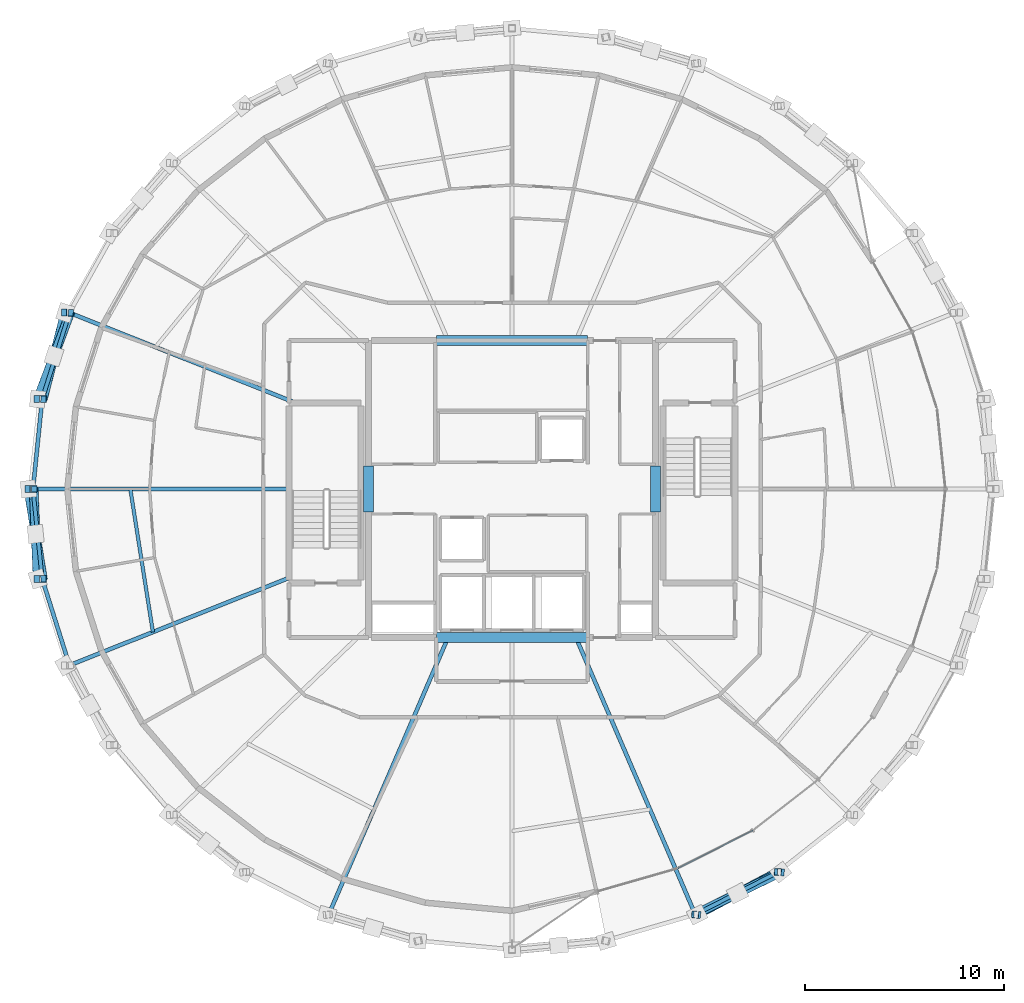
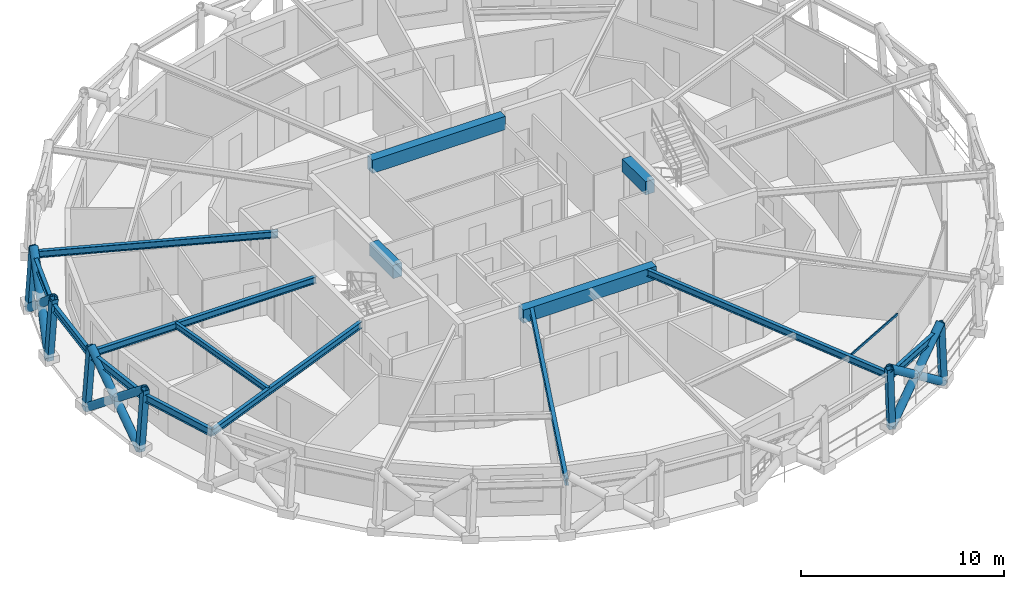
# One storey, part 3 of 18: 16 members, 15 beams, 1 element without a shape of its own.
"""IFC4 building model written with IfcOpenShell, lengths in metres."""

from ifc_helpers import new_model, si_unit, direction, frame, origin, origin_2d, place, context, subcontext, project, spatial, rectangle, hollow_rectangle, hollow_circle, i_section, extrude, material, layer, layer_set, material_profile, profile_set, type_object, element, aggregate, save


model = new_model("IFC4")

# Units and contexts
model_context = context("Model", 3, precision=1e-05, world=origin(), true_north=direction((0.0, 1.0)))
body_context = subcontext(model_context, "Body", "Model", "MODEL_VIEW")
ifc_project = project(units=[si_unit("LENGTHUNIT", "METRE"), si_unit("AREAUNIT", "SQUARE_METRE"), si_unit("VOLUMEUNIT", "CUBIC_METRE"), si_unit("PLANEANGLEUNIT", "RADIAN"), si_unit("MASSUNIT", "GRAM", prefix="KILO")], contexts=[model_context])

# Site, building, storey
site_placement = place(None, origin())
site = spatial("IfcSite", under=ifc_project, at=site_placement, CompositionType="ELEMENT")
building_placement = place(site_placement, origin())
building = spatial("IfcBuilding", under=site, at=building_placement, Name="Veldorina Hangang Commons", CompositionType="ELEMENT")
storey_placement = place(building_placement, frame((0.0, 0.0, 232.800048828125)))
storey = spatial("IfcBuildingStorey", under=building, at=storey_placement, Name="L60", CompositionType="ELEMENT", Elevation=232.800048828125)

# Beams
ifc_material_1 = material(Name="Concrete C50/60", Category="concrete")
ifc_material_profile_1 = material_profile(ifc_material_1, rectangle(XDim=0.5, YDim=0.800048828125, at=origin_2d()), Name="RC-CB-500x800")
ifc_profile_set_1 = profile_set([ifc_material_profile_1], Name="Concrete C50/60")
beam_type_1 = type_object("IfcBeamType", Name="BM-CB800", PredefinedType="LINTEL", material=ifc_profile_set_1)
for number, where, z_axis, x_axis, name in (
    (1, (24.800048828125, 22.85009765625, 2.9599609375), (0.0, 1.0, 0.0), (-1.0, 0.0, 0.0), "L60 W core coupling lintel beam"),
    (2, (39.199951171875, 22.85009765625, 2.9599609375), (0.0, 1.0, 0.0), (-1.0, 0.0, 0.0), "L60 E core coupling lintel beam"),
):
    element("IfcBeam", number, at=place(storey_placement, frame(where, z_axis=z_axis, x_axis=x_axis)), inside=storey, type_object=beam_type_1, Name=name, PredefinedType="LINTEL", context=body_context, shape_type="SweptSolid", body=[
        extrude(rectangle(XDim=0.5, YDim=0.800048828125, at=origin_2d()), origin(), (0.0, 0.0, 1.0), 2.2998046875),
    ])
for number, where, z_axis, x_axis, name in (
    (3, (28.199951171875, 16.550048828125, 2.9599609375), (1.0, 0.0, 0.0), (0.0, 1.0, 0.0), "L60 south core coupling beam"),
    (4, (28.199951171875, 31.449951171875, 2.9599609375), (1.0, 0.0, 0.0), (0.0, 1.0, 0.0), "L60 north core coupling beam"),
):
    element("IfcBeam", number, at=place(storey_placement, frame(where, z_axis=z_axis, x_axis=x_axis)), inside=storey, type_object=beam_type_1, Name=name, PredefinedType="LINTEL", context=body_context, shape_type="SweptSolid", body=[
        extrude(rectangle(XDim=0.5, YDim=0.800048828125, at=origin_2d()), origin(), (0.0, 0.0, 1.0), 7.60009765625),
    ])
ifc_material_2 = material(Name="Steel SM355-TMC", Category="steel")
ifc_material_profile_2 = material_profile(ifc_material_2, i_section(OverallWidth=0.199951171875, OverallDepth=0.39990234375, WebThickness=0.008056640625, FlangeThickness=0.012939453125, FilletRadius=0.012939453125, at=origin_2d()), Name="H-400x200x8x13")
ifc_profile_set_2 = profile_set([ifc_material_profile_2], Name="Steel SM355-TMC")
beam_type_2 = type_object("IfcBeamType", Name="BM-FG400", PredefinedType="BEAM", material=ifc_profile_set_2)
beam_1_placement = place(storey_placement, frame((21.15380859375, 28.320068359375, 3.159912109375), z_axis=(-0.92902116893, 0.370026576991, 0.0), x_axis=(-0.370026576991, -0.92902116893, 0.0)))
element("IfcBeam", 5, at=beam_1_placement, inside=storey, type_object=beam_type_2, Name="L60 radial floor girder 08", PredefinedType="BEAM", context=body_context, shape_type="SweptSolid", body=[
    extrude(i_section(OverallWidth=0.199951171875, OverallDepth=0.39990234375, WebThickness=0.008056640625, FlangeThickness=0.012939453125, FilletRadius=0.012939453125, at=origin_2d()), origin(), (0.0, 0.0, 1.0), 12.223388671875),
])
beam_2_placement = place(storey_placement, frame((20.820068359375, 24.0, 3.159912109375), z_axis=(-1.0, 0.0, 0.0), x_axis=(0.0, -1.0, 0.0)))
element("IfcBeam", 6, at=beam_2_placement, inside=storey, type_object=beam_type_2, Name="L60 radial floor girder 09", PredefinedType="BEAM", context=body_context, shape_type="SweptSolid", body=[
    extrude(i_section(OverallWidth=0.199951171875, OverallDepth=0.39990234375, WebThickness=0.008056640625, FlangeThickness=0.012939453125, FilletRadius=0.012939453125, at=origin_2d()), origin(), (0.0, 0.0, 1.0), 12.85107421875),
])
beam_3_placement = place(storey_placement, frame((20.820068359375, 19.547119140625, 3.159912109375), z_axis=(-0.929017827565, -0.370034966005, 0.0), x_axis=(0.370034966005, -0.929017827565, 0.0)))
element("IfcBeam", 7, at=beam_3_placement, inside=storey, type_object=beam_type_2, Name="L60 radial floor girder 10", PredefinedType="BEAM", context=body_context, shape_type="SweptSolid", body=[
    extrude(i_section(OverallWidth=0.199951171875, OverallDepth=0.39990234375, WebThickness=0.008056640625, FlangeThickness=0.012939453125, FilletRadius=0.012939453125, at=origin_2d()), origin(), (0.0, 0.0, 1.0), 11.864013671875),
])
for number, where, z_axis, x_axis, name in (
    (8, (28.790771484375, 16.550048828125, 3.159912109375), (-0.395620337135, -0.91841414887, 0.0), (0.91841414887, -0.395620337135, 0.0), "L60 radial floor girder 12"),
    (9, (35.209228515625, 16.550048828125, 3.159912109375), (0.395620337135, -0.91841414887, 0.0), (0.91841414887, 0.395620337135, 0.0), "L60 radial floor girder 14"),
):
    element("IfcBeam", number, at=place(storey_placement, frame(where, z_axis=z_axis, x_axis=x_axis)), inside=storey, type_object=beam_type_2, Name=name, PredefinedType="BEAM", context=body_context, shape_type="SweptSolid", body=[
        extrude(i_section(OverallWidth=0.199951171875, OverallDepth=0.39990234375, WebThickness=0.008056640625, FlangeThickness=0.012939453125, FilletRadius=0.012939453125, at=origin_2d()), origin(), (0.0, 0.0, 1.0), 15.13330078125),
    ])
ifc_material_profile_3 = material_profile(ifc_material_2, i_section(OverallWidth=0.175048828125, OverallDepth=0.35009765625, WebThickness=0.007080078125, FlangeThickness=0.010986328125, FilletRadius=0.012939453125, at=origin_2d()), Name="H-350x175x7x11")
ifc_profile_set_3 = profile_set([ifc_material_profile_3], Name="Steel SM355-TMC")
beam_type_3 = type_object("IfcBeamType", Name="BM-JST350", PredefinedType="JOIST", material=ifc_profile_set_3)
beam_4_placement = place(storey_placement, frame((12.852294921875, 24.0, 3.18505859375), z_axis=(0.156119631311, -0.987738153925, 0.0), x_axis=(0.987738153925, 0.156119631311, 0.0)))
element("IfcBeam", 10, at=beam_4_placement, inside=storey, type_object=beam_type_3, Name="L60 secondary floor joist 09", PredefinedType="JOIST", context=body_context, shape_type="SweptSolid", body=[
    extrude(i_section(OverallWidth=0.175048828125, OverallDepth=0.35009765625, WebThickness=0.007080078125, FlangeThickness=0.010986328125, FilletRadius=0.012939453125, at=origin_2d()), origin(), (0.0, 0.0, 1.0), 7.263916015625),
])
ifc_material_profile_4 = material_profile(ifc_material_2, i_section(OverallWidth=0.199951171875, OverallDepth=0.449951171875, WebThickness=0.009033203125, FlangeThickness=0.013916015625, FilletRadius=0.01611328125, at=origin_2d()), Name="H-450x200x9x14")
ifc_profile_set_4 = profile_set([ifc_material_profile_4], Name="Steel SM355-TMC")
beam_type_4 = type_object("IfcBeamType", Name="BM-RB450", PredefinedType="BEAM", material=ifc_profile_set_4)
beam_5_placement = place(storey_placement, frame((9.798095703125, 32.843017578125, 3.135009765625), z_axis=(-0.300830603125, -0.95367759134, 0.0), x_axis=(0.95367759134, -0.300830603125, 0.0)))
element("IfcBeam", 11, at=beam_5_placement, inside=storey, type_object=beam_type_4, Name="L60 perimeter hoop ring beam 14", PredefinedType="BEAM", context=body_context, shape_type="SweptSolid", body=[
    extrude(i_section(OverallWidth=0.199951171875, OverallDepth=0.449951171875, WebThickness=0.009033203125, FlangeThickness=0.013916015625, FilletRadius=0.01611328125, at=origin_2d()), origin(), (0.0, 0.0, 1.0), 4.54541015625),
])
for number, where, z_axis, x_axis, name in (
    (12, (8.4306640625, 28.508056640625, 3.135009765625), (-0.101877124735, -0.994796990072, 0.0), (0.994796990072, -0.101877124735, 0.0), "L60 perimeter hoop ring beam 15"),
    (13, (7.968994140625, 24.0, 3.135009765625), (0.101877124735, -0.994796990072, 0.0), (0.994796990072, 0.101877124735, 0.0), "L60 perimeter hoop ring beam 16"),
):
    element("IfcBeam", number, at=place(storey_placement, frame(where, z_axis=z_axis, x_axis=x_axis)), inside=storey, type_object=beam_type_4, Name=name, PredefinedType="BEAM", context=body_context, shape_type="SweptSolid", body=[
        extrude(i_section(OverallWidth=0.199951171875, OverallDepth=0.449951171875, WebThickness=0.009033203125, FlangeThickness=0.013916015625, FilletRadius=0.01611328125, at=origin_2d()), origin(), (0.0, 0.0, 1.0), 4.53173828125),
    ])
beam_6_placement = place(storey_placement, frame((8.4306640625, 19.491943359375, 3.135009765625), z_axis=(0.300830603125, -0.95367759134, 0.0), x_axis=(0.95367759134, 0.300830603125, 0.0)))
element("IfcBeam", 14, at=beam_6_placement, inside=storey, type_object=beam_type_4, Name="L60 perimeter hoop ring beam 17", PredefinedType="BEAM", context=body_context, shape_type="SweptSolid", body=[
    extrude(i_section(OverallWidth=0.199951171875, OverallDepth=0.449951171875, WebThickness=0.009033203125, FlangeThickness=0.013916015625, FilletRadius=0.01611328125, at=origin_2d()), origin(), (0.0, 0.0, 1.0), 4.54541015625),
])
beam_7_placement = place(storey_placement, frame((41.1962890625, 2.6513671875, 3.135009765625), z_axis=(0.889406812659, 0.457116529559, 0.0), x_axis=(-0.457116529559, 0.889406812659, 0.0)))
element("IfcBeam", 15, at=beam_7_placement, inside=storey, type_object=beam_type_4, Name="L60 perimeter hoop ring beam 26", PredefinedType="BEAM", context=body_context, shape_type="SweptSolid", body=[
    extrude(i_section(OverallWidth=0.199951171875, OverallDepth=0.449951171875, WebThickness=0.009033203125, FlangeThickness=0.013916015625, FilletRadius=0.01611328125, at=origin_2d()), origin(), (0.0, 0.0, 1.0), 4.671142578125),
])

# Curtain wall, member
ifc_material_3 = material(Name="Glass Low-E Selective", Category="glass")
ifc_layer = layer(ifc_material_3, 0.179931640625)
ifc_layer_set = layer_set([ifc_layer], Name="Glass Low-E Selective")
curtain_wall_type = type_object("IfcCurtainWallType", Name="CW-SYS-Z3", PredefinedType="NOTDEFINED", material=ifc_layer_set)
curtain_wall_placement = place(storey_placement, origin())
curtain_wall = element("IfcCurtainWall", 16, at=curtain_wall_placement, inside=storey, type_object=curtain_wall_type, Name="L60 unitised curtain wall CW-L60-R1", PredefinedType="NOTDEFINED")
ifc_material_4 = material(Name="Aluminium Anodized AA6063-T6", Category="aluminium")
ifc_material_profile_5 = material_profile(ifc_material_4, hollow_rectangle(XDim=0.06005859375, YDim=0.139892578125, WallThickness=0.00341796875, at=origin_2d()), Name="ALU-RHS-140x60x3.5")
ifc_profile_set_5 = profile_set([ifc_material_profile_5], Name="Aluminium Anodized AA6063-T6")
member_type_1 = type_object("IfcMemberType", Name="CW-TRN-140", PredefinedType="USERDEFINED", material=ifc_profile_set_5)
member_1_placement = place(storey_placement, frame((40.32177734375, 4.9697265625, 3.280029296875), z_axis=(0.892156271491, 0.451726894527, 0.0), x_axis=(-0.451726894527, 0.892156271491, 0.0)))
member_1 = element("IfcMember", 17, at=member_1_placement, type_object=member_type_1, Name="CW-L60-R1 facet 2 transom 1", ObjectType="TRANSOM", PredefinedType="USERDEFINED", context=body_context, shape_type="SweptSolid", body=[
    extrude(hollow_rectangle(XDim=0.06005859375, YDim=0.139892578125, WallThickness=0.00341796875, at=origin_2d()), origin(), (0.0, 0.0, 1.0), 4.2138671875),
])
aggregate(curtain_wall, [member_1])

# Members
ifc_material_profile_6 = material_profile(ifc_material_2, hollow_circle(Radius=0.22509765625, WallThickness=0.02197265625, at=origin_2d()), Name="CHS-450x22")
ifc_profile_set_6 = profile_set([ifc_material_profile_6], Name="Steel SM355-TMC")
member_type_2 = type_object("IfcMemberType", Name="DG-CHS450", PredefinedType="BRACE", material=ifc_profile_set_6)
member_2_placement = place(storey_placement, frame((9.581298828125, 32.846923828125, 0.0), z_axis=(-0.194251885862, -0.754961462373, 0.626338083762), x_axis=(0.968456122295, -0.249184147148, 0.0)))
element("IfcMember", 18, at=member_2_placement, inside=storey, type_object=member_type_2, Name="L60 continuous perimeter diagrid brace 14", PredefinedType="BRACE", context=body_context, shape_type="SweptSolid", body=[
    extrude(hollow_circle(Radius=0.22509765625, WallThickness=0.02197265625, at=origin_2d()), origin(), (0.0, 0.0, 1.0), 5.74755859375),
])
member_3_placement = place(storey_placement, frame((8.200439453125, 28.510009765625, 0.0), z_axis=(0.280206892591, 0.738038997675, 0.613826144161), x_axis=(-0.934887822206, 0.354943319264, 0.0)))
element("IfcMember", 19, at=member_3_placement, inside=storey, type_object=member_type_2, Name="L60 split perimeter diagrid lower brace 15", PredefinedType="BRACE", context=body_context, shape_type="SweptSolid", body=[
    extrude(hollow_circle(Radius=0.22509765625, WallThickness=0.02197265625, at=origin_2d()), origin(), (0.0, 0.0, 1.0), 2.9345703125),
])
member_4_placement = place(storey_placement, frame((9.022705078125, 30.67578125, 1.80126953125), z_axis=(0.275701678216, 0.739593921551, 0.613994638277), x_axis=(-0.937013009709, 0.349294459783, 0.0)))
element("IfcMember", 20, at=member_4_placement, inside=storey, type_object=member_type_2, Name="L60 split perimeter diagrid upper brace 15", PredefinedType="BRACE", context=body_context, shape_type="SweptSolid", body=[
    extrude(hollow_circle(Radius=0.22509765625, WallThickness=0.02197265625, at=origin_2d()), origin(), (0.0, 0.0, 1.0), 2.92919921875),
])
member_5_placement = place(storey_placement, frame((7.734130859375, 24.0, 0.0), z_axis=(0.125661791119, -0.775215272712, 0.619072205164), x_axis=(0.987115293042, 0.160010619155, 0.0)))
element("IfcMember", 21, at=member_5_placement, inside=storey, type_object=member_type_2, Name="L60 continuous perimeter diagrid brace 16", PredefinedType="BRACE", context=body_context, shape_type="SweptSolid", body=[
    extrude(hollow_circle(Radius=0.22509765625, WallThickness=0.02197265625, at=origin_2d()), origin(), (0.0, 0.0, 1.0), 5.81494140625),
])
member_6_placement = place(storey_placement, frame((8.200439453125, 19.489990234375, 0.0), z_axis=(-0.034917114059, 0.781027359987, 0.623519893906), x_axis=(-0.999002153417, -0.044662036086, 0.0)))
element("IfcMember", 22, at=member_6_placement, inside=storey, type_object=member_type_2, Name="L60 split perimeter diagrid lower brace 17", PredefinedType="BRACE", context=body_context, shape_type="SweptSolid", body=[
    extrude(hollow_circle(Radius=0.22509765625, WallThickness=0.02197265625, at=origin_2d()), origin(), (0.0, 0.0, 1.0), 2.8876953125),
])
member_7_placement = place(storey_placement, frame((8.099609375, 21.745361328125, 1.800537109375), z_axis=(-0.03324347595, 0.781179390336, 0.623420910317), x_axis=(-0.999095742908, -0.042517014289, 0.0)))
element("IfcMember", 23, at=member_7_placement, inside=storey, type_object=member_type_2, Name="L60 split perimeter diagrid upper brace 17", PredefinedType="BRACE", context=body_context, shape_type="SweptSolid", body=[
    extrude(hollow_circle(Radius=0.22509765625, WallThickness=0.02197265625, at=origin_2d()), origin(), (0.0, 0.0, 1.0), 2.88623046875),
])
member_8_placement = place(storey_placement, frame((41.2861328125, 2.6416015625, 0.0), z_axis=(0.694480178066, 0.368489422182, 0.61799096111), x_axis=(-0.468705619493, 0.883354426182, 0.0)))
element("IfcMember", 24, at=member_8_placement, inside=storey, type_object=member_type_2, Name="L60 continuous perimeter diagrid brace 26", PredefinedType="BRACE", context=body_context, shape_type="SweptSolid", body=[
    extrude(hollow_circle(Radius=0.22509765625, WallThickness=0.02197265625, at=origin_2d()), origin(), (0.0, 0.0, 1.0), 5.8251953125),
])
member_9_placement = place(storey_placement, frame((45.4814453125, 4.77783203125, 0.0), z_axis=(-0.718387081062, -0.351411419138, 0.600358239939), x_axis=(0.439411919252, -0.898285681295, 0.0)))
element("IfcMember", 25, at=member_9_placement, inside=storey, type_object=member_type_2, Name="L60 split perimeter diagrid lower brace 27", PredefinedType="BRACE", context=body_context, shape_type="SweptSolid", body=[
    extrude(hollow_circle(Radius=0.22509765625, WallThickness=0.02197265625, at=origin_2d()), origin(), (0.0, 0.0, 1.0), 3.01171875),
])
member_10_placement = place(storey_placement, frame((43.31787109375, 3.719482421875, 1.80810546875), z_axis=(-0.715340033208, -0.357506398115, 0.600398044798), x_axis=(0.447049908411, -0.894509015823, 0.0)))
element("IfcMember", 26, at=member_10_placement, inside=storey, type_object=member_type_2, Name="L60 split perimeter diagrid upper brace 27", PredefinedType="BRACE", context=body_context, shape_type="SweptSolid", body=[
    extrude(hollow_circle(Radius=0.22509765625, WallThickness=0.02197265625, at=origin_2d()), origin(), (0.0, 0.0, 1.0), 2.984375),
])
ifc_material_profile_7 = material_profile(ifc_material_2, hollow_rectangle(XDim=0.35009765625, YDim=0.35009765625, WallThickness=0.01611328125, at=origin_2d()), Name="SHS-350x350x16")
ifc_profile_set_7 = profile_set([ifc_material_profile_7], Name="Steel SM355-TMC")
member_type_3 = type_object("IfcMemberType", Name="STR-SHS350", PredefinedType="STRUT", material=ifc_profile_set_7)
member_11_placement = place(storey_placement, frame((9.581298828125, 32.846923828125, 0.0), z_axis=(0.069011011957, -0.001285499242, 0.997615069914), x_axis=(0.018624220127, 0.999826554171, 0.0)))
element("IfcMember", 27, at=member_11_placement, inside=storey, type_object=member_type_3, Name="L60 perimeter ring node post 14", PredefinedType="STRUT", context=body_context, shape_type="SweptSolid", body=[
    extrude(hollow_rectangle(XDim=0.35009765625, YDim=0.35009765625, WallThickness=0.01611328125, at=origin_2d()), origin(), (0.0, 0.0, 1.0), 3.6083984375),
])
member_12_placement = place(storey_placement, frame((8.200439453125, 28.510009765625, 0.0), z_axis=(0.073251294399, -0.000608736519, 0.997313329555), x_axis=(0.008309962368, 0.999965471667, 0.0)))
element("IfcMember", 28, at=member_12_placement, inside=storey, type_object=member_type_3, Name="L60 perimeter ring node post 15", PredefinedType="STRUT", context=body_context, shape_type="SweptSolid", body=[
    extrude(hollow_rectangle(XDim=0.35009765625, YDim=0.35009765625, WallThickness=0.01611328125, at=origin_2d()), origin(), (0.0, 0.0, 1.0), 3.609619140625),
])
member_13_placement = place(storey_placement, frame((7.734130859375, 24.0, 0.0), z_axis=(0.074663850132, 0.0, 0.997208759229), x_axis=(0.0, 1.0, 0.0)))
element("IfcMember", 29, at=member_13_placement, inside=storey, type_object=member_type_3, Name="L60 perimeter ring node post 16", PredefinedType="STRUT", context=body_context, shape_type="SweptSolid", body=[
    extrude(hollow_rectangle(XDim=0.35009765625, YDim=0.35009765625, WallThickness=0.01611328125, at=origin_2d()), origin(), (0.0, 0.0, 1.0), 3.60986328125),
])
member_14_placement = place(storey_placement, frame((8.200439453125, 19.489990234375, 0.0), z_axis=(0.073251294399, 0.000608736519, 0.997313329555), x_axis=(-0.008309962368, 0.999965471667, 0.0)))
element("IfcMember", 30, at=member_14_placement, inside=storey, type_object=member_type_3, Name="L60 perimeter ring node post 17", PredefinedType="STRUT", context=body_context, shape_type="SweptSolid", body=[
    extrude(hollow_rectangle(XDim=0.35009765625, YDim=0.35009765625, WallThickness=0.01611328125, at=origin_2d()), origin(), (0.0, 0.0, 1.0), 3.609619140625),
])
member_15_placement = place(storey_placement, frame((41.2861328125, 2.6416015625, 0.0), z_axis=(-0.028608023995, 0.003050618672, 0.999586051668), x_axis=(-0.106033917323, -0.994362513562, 0.0)))
element("IfcMember", 31, at=member_15_placement, inside=storey, type_object=member_type_3, Name="L60 perimeter ring node post 26", PredefinedType="STRUT", context=body_context, shape_type="SweptSolid", body=[
    extrude(hollow_rectangle(XDim=0.35009765625, YDim=0.35009765625, WallThickness=0.01611328125, at=origin_2d()), origin(), (0.0, 0.0, 1.0), 3.601318359375),
])
member_16_placement = place(storey_placement, frame((45.4814453125, 4.77783203125, 0.0), z_axis=(-0.04160500992, 0.002845945304, 0.999130083495), x_axis=(-0.06824443404, -0.99766863097, 0.0)))
element("IfcMember", 32, at=member_16_placement, inside=storey, type_object=member_type_3, Name="L60 perimeter ring node post 27", PredefinedType="STRUT", context=body_context, shape_type="SweptSolid", body=[
    extrude(hollow_rectangle(XDim=0.35009765625, YDim=0.35009765625, WallThickness=0.01611328125, at=origin_2d()), origin(), (0.0, 0.0, 1.0), 3.60302734375),
])

save(model, "model.ifc")
